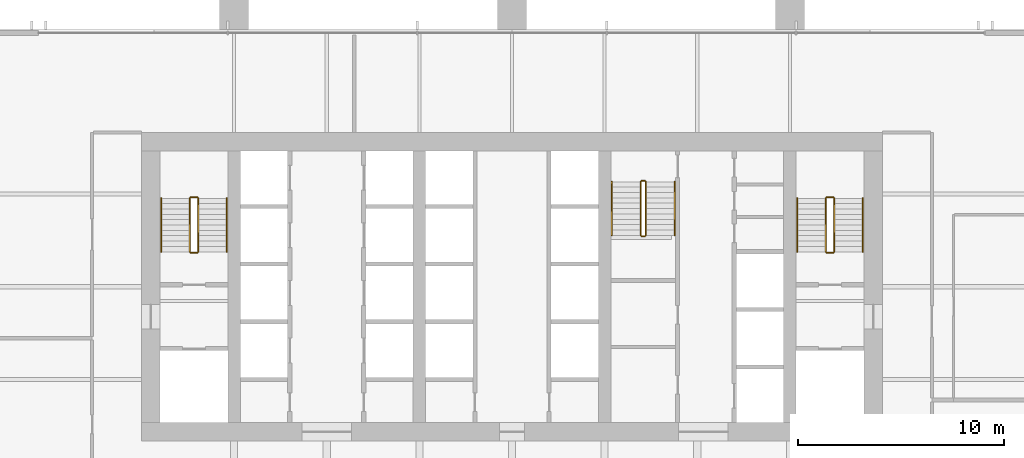
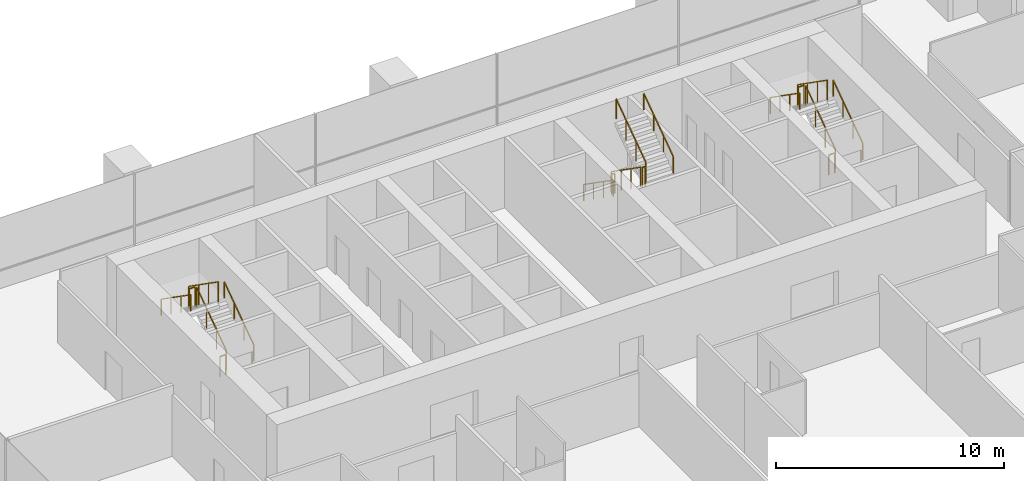
# One storey, part 14 of 14: 18 railings.
"""IFC4 building model written with IfcOpenShell, lengths in metres."""

from ifc_helpers import new_model, si_unit, direction, frame, origin, origin_2d, place, context, subcontext, project, spatial, rectangle, extrude, material, type_object, element, save


model = new_model("IFC4")

# Units and contexts
model_context = context("Model", 3, precision=1e-05, world=origin(), true_north=direction((0.0, 1.0)))
body_context = subcontext(model_context, "Body", "Model", "MODEL_VIEW")
ifc_project = project(units=[si_unit("LENGTHUNIT", "METRE"), si_unit("AREAUNIT", "SQUARE_METRE"), si_unit("VOLUMEUNIT", "CUBIC_METRE"), si_unit("PLANEANGLEUNIT", "RADIAN"), si_unit("MASSUNIT", "GRAM", prefix="KILO")], contexts=[model_context])

# Site, building, storey
site_placement = place(None, origin())
site = spatial("IfcSite", under=ifc_project, at=site_placement, CompositionType="ELEMENT")
building_placement = place(site_placement, origin())
building = spatial("IfcBuilding", under=site, at=building_placement, Name="Rattan Terrace Tower", CompositionType="ELEMENT")
storey_placement = place(building_placement, frame((0.0, 0.0, 154.10009765625)))
storey = spatial("IfcBuildingStorey", under=building, at=storey_placement, Name="L35", CompositionType="ELEMENT", Elevation=154.10009765625)

# Railings
ifc_material_1 = material(Name="Powder-coated steel guard", Category="steel")
railing_type_1 = type_object("IfcRailingType", Name="Core stair guard", PredefinedType="GUARDRAIL", material=ifc_material_1)
railing_1_placement = place(storey_placement, frame((-15.25, 1.699951171875, 0.181640625)))
element("IfcRailing", 1, at=railing_1_placement, inside=storey, type_object=railing_type_1, Name="L35 S1 stair guard 1", PredefinedType="GUARDRAIL", context=body_context, shape_type="SweptSolid", body=[
    extrude(rectangle(XDim=0.048095703125, YDim=0.048095703125, at=origin_2d()), frame((0.0, 0.0, 1.076171875), z_axis=(0.0, 0.819484887739, 0.573100792852), x_axis=(-1.0, 0.0, 0.0)), (0.0, 0.0, 1.0), 3.1728515625),
    extrude(rectangle(XDim=0.0419921875, YDim=0.0419921875, at=origin_2d()), origin(), (0.0, 0.0, 1.0), 1.052001953125),
    extrude(rectangle(XDim=0.0419921875, YDim=0.0419921875, at=origin_2d()), frame((0.0, 0.86669921875, 0.606201171875)), (0.0, 0.0, 1.0), 1.052001953125),
    extrude(rectangle(XDim=0.0419921875, YDim=0.0419921875, at=origin_2d()), frame((0.0, 1.7333984375, 1.212158203125)), (0.0, 0.0, 1.0), 1.052001953125),
    extrude(rectangle(XDim=0.0419921875, YDim=0.0419921875, at=origin_2d()), frame((0.0, 2.60009765625, 1.818359375)), (0.0, 0.0, 1.0), 1.052001953125),
])
railing_2_placement = place(storey_placement, frame((-15.300048828125, 4.35009765625, 2.0)))
element("IfcRailing", 2, at=railing_2_placement, inside=storey, type_object=railing_type_1, Name="L35 S1 stair guard 2", PredefinedType="GUARDRAIL", context=body_context, shape_type="SweptSolid", body=[
    extrude(rectangle(XDim=0.048095703125, YDim=0.048095703125, at=origin_2d()), frame((0.0, 0.0, 1.076171875), z_axis=(-1.0, 0.0, 0.0), x_axis=(0.0, -1.0, 0.0)), (0.0, 0.0, 1.0), 0.300048828125),
    extrude(rectangle(XDim=0.0419921875, YDim=0.0419921875, at=origin_2d()), origin(), (0.0, 0.0, 1.0), 1.052001953125),
    extrude(rectangle(XDim=0.0419921875, YDim=0.0419921875, at=origin_2d()), frame((-0.300048828125, 0.0, 0.0)), (0.0, 0.0, 1.0), 1.052001953125),
])
railing_3_placement = place(storey_placement, frame((-15.64990234375, 4.300048828125, 2.181640625)))
element("IfcRailing", 3, at=railing_3_placement, inside=storey, type_object=railing_type_1, Name="L35 S1 stair guard 3", PredefinedType="GUARDRAIL", context=body_context, shape_type="SweptSolid", body=[
    extrude(rectangle(XDim=0.048095703125, YDim=0.048095703125, at=origin_2d()), frame((0.0, 0.0, 1.076171875), z_axis=(0.0, -0.819484887739, 0.573100792852), x_axis=(1.0, 0.0, 0.0)), (0.0, 0.0, 1.0), 3.1728515625),
    extrude(rectangle(XDim=0.0419921875, YDim=0.0419921875, at=origin_2d()), origin(), (0.0, 0.0, 1.0), 1.052001953125),
    extrude(rectangle(XDim=0.0419921875, YDim=0.0419921875, at=origin_2d()), frame((0.0, -0.86669921875, 0.606201171875)), (0.0, 0.0, 1.0), 1.052001953125),
    extrude(rectangle(XDim=0.0419921875, YDim=0.0419921875, at=origin_2d()), frame((0.0, -1.7333984375, 1.212158203125)), (0.0, 0.0, 1.0), 1.052001953125),
    extrude(rectangle(XDim=0.0419921875, YDim=0.0419921875, at=origin_2d()), frame((0.0, -2.60009765625, 1.818359375)), (0.0, 0.0, 1.0), 1.052001953125),
])
railing_4_placement = place(storey_placement, frame((-15.300048828125, 1.64990234375, 0.0)))
element("IfcRailing", 4, at=railing_4_placement, inside=storey, type_object=railing_type_1, Name="L35 S1 stair guard 4", PredefinedType="GUARDRAIL", context=body_context, shape_type="SweptSolid", body=[
    extrude(rectangle(XDim=0.048095703125, YDim=0.048095703125, at=origin_2d()), frame((0.0, 0.0, 1.076171875), z_axis=(-1.0, 0.0, 0.0), x_axis=(0.0, -1.0, 0.0)), (0.0, 0.0, 1.0), 0.300048828125),
    extrude(rectangle(XDim=0.0419921875, YDim=0.0419921875, at=origin_2d()), origin(), (0.0, 0.0, 1.0), 1.052001953125),
    extrude(rectangle(XDim=0.0419921875, YDim=0.0419921875, at=origin_2d()), frame((-0.300048828125, 0.0, 0.0)), (0.0, 0.0, 1.0), 1.052001953125),
])
railing_5_placement = place(storey_placement, frame((15.64990234375, 1.699951171875, 0.181640625)))
element("IfcRailing", 5, at=railing_5_placement, inside=storey, type_object=railing_type_1, Name="L35 S2 stair guard 1", PredefinedType="GUARDRAIL", context=body_context, shape_type="SweptSolid", body=[
    extrude(rectangle(XDim=0.048095703125, YDim=0.048095703125, at=origin_2d()), frame((0.0, 0.0, 1.076171875), z_axis=(0.0, 0.819484887739, 0.573100792852), x_axis=(-1.0, 0.0, 0.0)), (0.0, 0.0, 1.0), 3.1728515625),
    extrude(rectangle(XDim=0.0419921875, YDim=0.0419921875, at=origin_2d()), origin(), (0.0, 0.0, 1.0), 1.052001953125),
    extrude(rectangle(XDim=0.0419921875, YDim=0.0419921875, at=origin_2d()), frame((0.0, 0.86669921875, 0.606201171875)), (0.0, 0.0, 1.0), 1.052001953125),
    extrude(rectangle(XDim=0.0419921875, YDim=0.0419921875, at=origin_2d()), frame((0.0, 1.7333984375, 1.212158203125)), (0.0, 0.0, 1.0), 1.052001953125),
    extrude(rectangle(XDim=0.0419921875, YDim=0.0419921875, at=origin_2d()), frame((0.0, 2.60009765625, 1.818359375)), (0.0, 0.0, 1.0), 1.052001953125),
])
railing_6_placement = place(storey_placement, frame((15.60009765625, 4.35009765625, 2.0)))
element("IfcRailing", 6, at=railing_6_placement, inside=storey, type_object=railing_type_1, Name="L35 S2 stair guard 2", PredefinedType="GUARDRAIL", context=body_context, shape_type="SweptSolid", body=[
    extrude(rectangle(XDim=0.048095703125, YDim=0.048095703125, at=origin_2d()), frame((0.0, 0.0, 1.076171875), z_axis=(-1.0, 0.0, 0.0), x_axis=(0.0, -1.0, 0.0)), (0.0, 0.0, 1.0), 0.300048828125),
    extrude(rectangle(XDim=0.0419921875, YDim=0.0419921875, at=origin_2d()), origin(), (0.0, 0.0, 1.0), 1.052001953125),
    extrude(rectangle(XDim=0.0419921875, YDim=0.0419921875, at=origin_2d()), frame((-0.300048828125, 0.0, 0.0)), (0.0, 0.0, 1.0), 1.052001953125),
])
railing_7_placement = place(storey_placement, frame((15.25, 4.300048828125, 2.181640625)))
element("IfcRailing", 7, at=railing_7_placement, inside=storey, type_object=railing_type_1, Name="L35 S2 stair guard 3", PredefinedType="GUARDRAIL", context=body_context, shape_type="SweptSolid", body=[
    extrude(rectangle(XDim=0.048095703125, YDim=0.048095703125, at=origin_2d()), frame((0.0, 0.0, 1.076171875), z_axis=(0.0, -0.819484887739, 0.573100792852), x_axis=(1.0, 0.0, 0.0)), (0.0, 0.0, 1.0), 3.1728515625),
    extrude(rectangle(XDim=0.0419921875, YDim=0.0419921875, at=origin_2d()), origin(), (0.0, 0.0, 1.0), 1.052001953125),
    extrude(rectangle(XDim=0.0419921875, YDim=0.0419921875, at=origin_2d()), frame((0.0, -0.86669921875, 0.606201171875)), (0.0, 0.0, 1.0), 1.052001953125),
    extrude(rectangle(XDim=0.0419921875, YDim=0.0419921875, at=origin_2d()), frame((0.0, -1.7333984375, 1.212158203125)), (0.0, 0.0, 1.0), 1.052001953125),
    extrude(rectangle(XDim=0.0419921875, YDim=0.0419921875, at=origin_2d()), frame((0.0, -2.60009765625, 1.818359375)), (0.0, 0.0, 1.0), 1.052001953125),
])
railing_8_placement = place(storey_placement, frame((15.60009765625, 1.64990234375, 0.0)))
element("IfcRailing", 8, at=railing_8_placement, inside=storey, type_object=railing_type_1, Name="L35 S2 stair guard 4", PredefinedType="GUARDRAIL", context=body_context, shape_type="SweptSolid", body=[
    extrude(rectangle(XDim=0.048095703125, YDim=0.048095703125, at=origin_2d()), frame((0.0, 0.0, 1.076171875), z_axis=(-1.0, 0.0, 0.0), x_axis=(0.0, -1.0, 0.0)), (0.0, 0.0, 1.0), 0.300048828125),
    extrude(rectangle(XDim=0.0419921875, YDim=0.0419921875, at=origin_2d()), origin(), (0.0, 0.0, 1.0), 1.052001953125),
    extrude(rectangle(XDim=0.0419921875, YDim=0.0419921875, at=origin_2d()), frame((-0.300048828125, 0.0, 0.0)), (0.0, 0.0, 1.0), 1.052001953125),
])
railing_9_placement = place(storey_placement, frame((6.25, 5.10009765625, 0.181640625)))
element("IfcRailing", 9, at=railing_9_placement, inside=storey, type_object=railing_type_1, Name="L35 S3 stair guard 1", PredefinedType="GUARDRAIL", context=body_context, shape_type="SweptSolid", body=[
    extrude(rectangle(XDim=0.048095703125, YDim=0.048095703125, at=origin_2d()), frame((0.0, 0.0, 1.076171875), z_axis=(0.0, -0.819484887739, 0.573100792852), x_axis=(1.0, 0.0, 0.0)), (0.0, 0.0, 1.0), 3.1728515625),
    extrude(rectangle(XDim=0.0419921875, YDim=0.0419921875, at=origin_2d()), origin(), (0.0, 0.0, 1.0), 1.052001953125),
    extrude(rectangle(XDim=0.0419921875, YDim=0.0419921875, at=origin_2d()), frame((0.0, -0.86669921875, 0.606201171875)), (0.0, 0.0, 1.0), 1.052001953125),
    extrude(rectangle(XDim=0.0419921875, YDim=0.0419921875, at=origin_2d()), frame((0.0, -1.7333984375, 1.212158203125)), (0.0, 0.0, 1.0), 1.052001953125),
    extrude(rectangle(XDim=0.0419921875, YDim=0.0419921875, at=origin_2d()), frame((0.0, -2.60009765625, 1.818359375)), (0.0, 0.0, 1.0), 1.052001953125),
])
railing_10_placement = place(storey_placement, frame((6.300048828125, 2.449951171875, 2.0)))
element("IfcRailing", 10, at=railing_10_placement, inside=storey, type_object=railing_type_1, Name="L35 S3 stair guard 2", PredefinedType="GUARDRAIL", context=body_context, shape_type="SweptSolid", body=[
    extrude(rectangle(XDim=0.048095703125, YDim=0.048095703125, at=origin_2d()), frame((0.0, 0.0, 1.076171875), z_axis=(1.0, 0.0, 0.0), x_axis=(0.0, 1.0, 0.0)), (0.0, 0.0, 1.0), 0.14990234375),
    extrude(rectangle(XDim=0.0419921875, YDim=0.0419921875, at=origin_2d()), origin(), (0.0, 0.0, 1.0), 1.052001953125),
    extrude(rectangle(XDim=0.0419921875, YDim=0.0419921875, at=origin_2d()), frame((0.14990234375, 0.0, 0.0)), (0.0, 0.0, 1.0), 1.052001953125),
])
railing_11_placement = place(storey_placement, frame((6.5, 2.5, 2.181640625)))
element("IfcRailing", 11, at=railing_11_placement, inside=storey, type_object=railing_type_1, Name="L35 S3 stair guard 3", PredefinedType="GUARDRAIL", context=body_context, shape_type="SweptSolid", body=[
    extrude(rectangle(XDim=0.048095703125, YDim=0.048095703125, at=origin_2d()), frame((0.0, 0.0, 1.076171875), z_axis=(0.0, 0.819484887739, 0.573100792852), x_axis=(-1.0, 0.0, 0.0)), (0.0, 0.0, 1.0), 3.1728515625),
    extrude(rectangle(XDim=0.0419921875, YDim=0.0419921875, at=origin_2d()), origin(), (0.0, 0.0, 1.0), 1.052001953125),
    extrude(rectangle(XDim=0.0419921875, YDim=0.0419921875, at=origin_2d()), frame((0.0, 0.86669921875, 0.606201171875)), (0.0, 0.0, 1.0), 1.052001953125),
    extrude(rectangle(XDim=0.0419921875, YDim=0.0419921875, at=origin_2d()), frame((0.0, 1.7333984375, 1.212158203125)), (0.0, 0.0, 1.0), 1.052001953125),
    extrude(rectangle(XDim=0.0419921875, YDim=0.0419921875, at=origin_2d()), frame((0.0, 2.60009765625, 1.818359375)), (0.0, 0.0, 1.0), 1.052001953125),
])
railing_12_placement = place(storey_placement, frame((6.300048828125, 5.14990234375, 0.0)))
element("IfcRailing", 12, at=railing_12_placement, inside=storey, type_object=railing_type_1, Name="L35 S3 stair guard 4", PredefinedType="GUARDRAIL", context=body_context, shape_type="SweptSolid", body=[
    extrude(rectangle(XDim=0.048095703125, YDim=0.048095703125, at=origin_2d()), frame((0.0, 0.0, 1.076171875), z_axis=(1.0, 0.0, 0.0), x_axis=(0.0, 1.0, 0.0)), (0.0, 0.0, 1.0), 0.14990234375),
    extrude(rectangle(XDim=0.0419921875, YDim=0.0419921875, at=origin_2d()), origin(), (0.0, 0.0, 1.0), 1.052001953125),
    extrude(rectangle(XDim=0.0419921875, YDim=0.0419921875, at=origin_2d()), frame((0.14990234375, 0.0, 0.0)), (0.0, 0.0, 1.0), 1.052001953125),
])
ifc_material_2 = material(Name="Powder-coated steel handrail", Category="steel")
railing_type_2 = type_object("IfcRailingType", Name="Core stair handrail", PredefinedType="HANDRAIL", material=ifc_material_2)
railing_13_placement = place(storey_placement, frame((-13.85009765625, 1.699951171875, 0.181640625)))
element("IfcRailing", 13, at=railing_13_placement, inside=storey, type_object=railing_type_2, Name="L35 S1 stair handrail 1", PredefinedType="HANDRAIL", context=body_context, shape_type="SweptSolid", body=[
    extrude(rectangle(XDim=0.048095703125, YDim=0.048095703125, at=origin_2d()), frame((0.0, 0.0, 0.8759765625), z_axis=(0.0, 0.819484887739, 0.573100792852), x_axis=(-1.0, 0.0, 0.0)), (0.0, 0.0, 1.0), 3.1728515625),
    extrude(rectangle(XDim=0.0419921875, YDim=0.0419921875, at=origin_2d()), origin(), (0.0, 0.0, 1.0), 0.851806640625),
    extrude(rectangle(XDim=0.0419921875, YDim=0.0419921875, at=origin_2d()), frame((0.0, 0.86669921875, 0.606201171875)), (0.0, 0.0, 1.0), 0.851806640625),
    extrude(rectangle(XDim=0.0419921875, YDim=0.0419921875, at=origin_2d()), frame((0.0, 1.7333984375, 1.212158203125)), (0.0, 0.0, 1.0), 0.851806640625),
    extrude(rectangle(XDim=0.0419921875, YDim=0.0419921875, at=origin_2d()), frame((0.0, 2.60009765625, 1.818359375)), (0.0, 0.0, 1.0), 0.851806640625),
])
railing_14_placement = place(storey_placement, frame((-17.050048828125, 4.300048828125, 2.181640625)))
element("IfcRailing", 14, at=railing_14_placement, inside=storey, type_object=railing_type_2, Name="L35 S1 stair handrail 2", PredefinedType="HANDRAIL", context=body_context, shape_type="SweptSolid", body=[
    extrude(rectangle(XDim=0.048095703125, YDim=0.048095703125, at=origin_2d()), frame((0.0, 0.0, 0.8759765625), z_axis=(0.0, -0.819484887739, 0.573100792852), x_axis=(1.0, 0.0, 0.0)), (0.0, 0.0, 1.0), 3.1728515625),
    extrude(rectangle(XDim=0.0419921875, YDim=0.0419921875, at=origin_2d()), origin(), (0.0, 0.0, 1.0), 0.851806640625),
    extrude(rectangle(XDim=0.0419921875, YDim=0.0419921875, at=origin_2d()), frame((0.0, -0.86669921875, 0.606201171875)), (0.0, 0.0, 1.0), 0.851806640625),
    extrude(rectangle(XDim=0.0419921875, YDim=0.0419921875, at=origin_2d()), frame((0.0, -1.7333984375, 1.212158203125)), (0.0, 0.0, 1.0), 0.851806640625),
    extrude(rectangle(XDim=0.0419921875, YDim=0.0419921875, at=origin_2d()), frame((0.0, -2.60009765625, 1.818359375)), (0.0, 0.0, 1.0), 0.851806640625),
])
railing_15_placement = place(storey_placement, frame((17.050048828125, 1.699951171875, 0.181640625)))
element("IfcRailing", 15, at=railing_15_placement, inside=storey, type_object=railing_type_2, Name="L35 S2 stair handrail 1", PredefinedType="HANDRAIL", context=body_context, shape_type="SweptSolid", body=[
    extrude(rectangle(XDim=0.048095703125, YDim=0.048095703125, at=origin_2d()), frame((0.0, 0.0, 0.8759765625), z_axis=(0.0, 0.819484887739, 0.573100792852), x_axis=(-1.0, 0.0, 0.0)), (0.0, 0.0, 1.0), 3.1728515625),
    extrude(rectangle(XDim=0.0419921875, YDim=0.0419921875, at=origin_2d()), origin(), (0.0, 0.0, 1.0), 0.851806640625),
    extrude(rectangle(XDim=0.0419921875, YDim=0.0419921875, at=origin_2d()), frame((0.0, 0.86669921875, 0.606201171875)), (0.0, 0.0, 1.0), 0.851806640625),
    extrude(rectangle(XDim=0.0419921875, YDim=0.0419921875, at=origin_2d()), frame((0.0, 1.7333984375, 1.212158203125)), (0.0, 0.0, 1.0), 0.851806640625),
    extrude(rectangle(XDim=0.0419921875, YDim=0.0419921875, at=origin_2d()), frame((0.0, 2.60009765625, 1.818359375)), (0.0, 0.0, 1.0), 0.851806640625),
])
for number, where, name in (
    (16, (13.85009765625, 4.300048828125, 2.181640625), "L35 S2 stair handrail 2"),
    (17, (4.85009765625, 5.10009765625, 0.181640625), "L35 S3 stair handrail 1"),
):
    element("IfcRailing", number, at=place(storey_placement, frame(where)), inside=storey, type_object=railing_type_2, Name=name, PredefinedType="HANDRAIL", context=body_context, shape_type="SweptSolid", body=[
        extrude(rectangle(XDim=0.048095703125, YDim=0.048095703125, at=origin_2d()), frame((0.0, 0.0, 0.8759765625), z_axis=(0.0, -0.819484887739, 0.573100792852), x_axis=(1.0, 0.0, 0.0)), (0.0, 0.0, 1.0), 3.1728515625),
        extrude(rectangle(XDim=0.0419921875, YDim=0.0419921875, at=origin_2d()), origin(), (0.0, 0.0, 1.0), 0.851806640625),
        extrude(rectangle(XDim=0.0419921875, YDim=0.0419921875, at=origin_2d()), frame((0.0, -0.86669921875, 0.606201171875)), (0.0, 0.0, 1.0), 0.851806640625),
        extrude(rectangle(XDim=0.0419921875, YDim=0.0419921875, at=origin_2d()), frame((0.0, -1.7333984375, 1.212158203125)), (0.0, 0.0, 1.0), 0.851806640625),
        extrude(rectangle(XDim=0.0419921875, YDim=0.0419921875, at=origin_2d()), frame((0.0, -2.60009765625, 1.818359375)), (0.0, 0.0, 1.0), 0.851806640625),
    ])
railing_16_placement = place(storey_placement, frame((7.89990234375, 2.5, 2.181640625)))
element("IfcRailing", 18, at=railing_16_placement, inside=storey, type_object=railing_type_2, Name="L35 S3 stair handrail 2", PredefinedType="HANDRAIL", context=body_context, shape_type="SweptSolid", body=[
    extrude(rectangle(XDim=0.048095703125, YDim=0.048095703125, at=origin_2d()), frame((0.0, 0.0, 0.8759765625), z_axis=(0.0, 0.819484887739, 0.573100792852), x_axis=(-1.0, 0.0, 0.0)), (0.0, 0.0, 1.0), 3.1728515625),
    extrude(rectangle(XDim=0.0419921875, YDim=0.0419921875, at=origin_2d()), origin(), (0.0, 0.0, 1.0), 0.851806640625),
    extrude(rectangle(XDim=0.0419921875, YDim=0.0419921875, at=origin_2d()), frame((0.0, 0.86669921875, 0.606201171875)), (0.0, 0.0, 1.0), 0.851806640625),
    extrude(rectangle(XDim=0.0419921875, YDim=0.0419921875, at=origin_2d()), frame((0.0, 1.7333984375, 1.212158203125)), (0.0, 0.0, 1.0), 0.851806640625),
    extrude(rectangle(XDim=0.0419921875, YDim=0.0419921875, at=origin_2d()), frame((0.0, 2.60009765625, 1.818359375)), (0.0, 0.0, 1.0), 0.851806640625),
])

save(model, "model.ifc")
